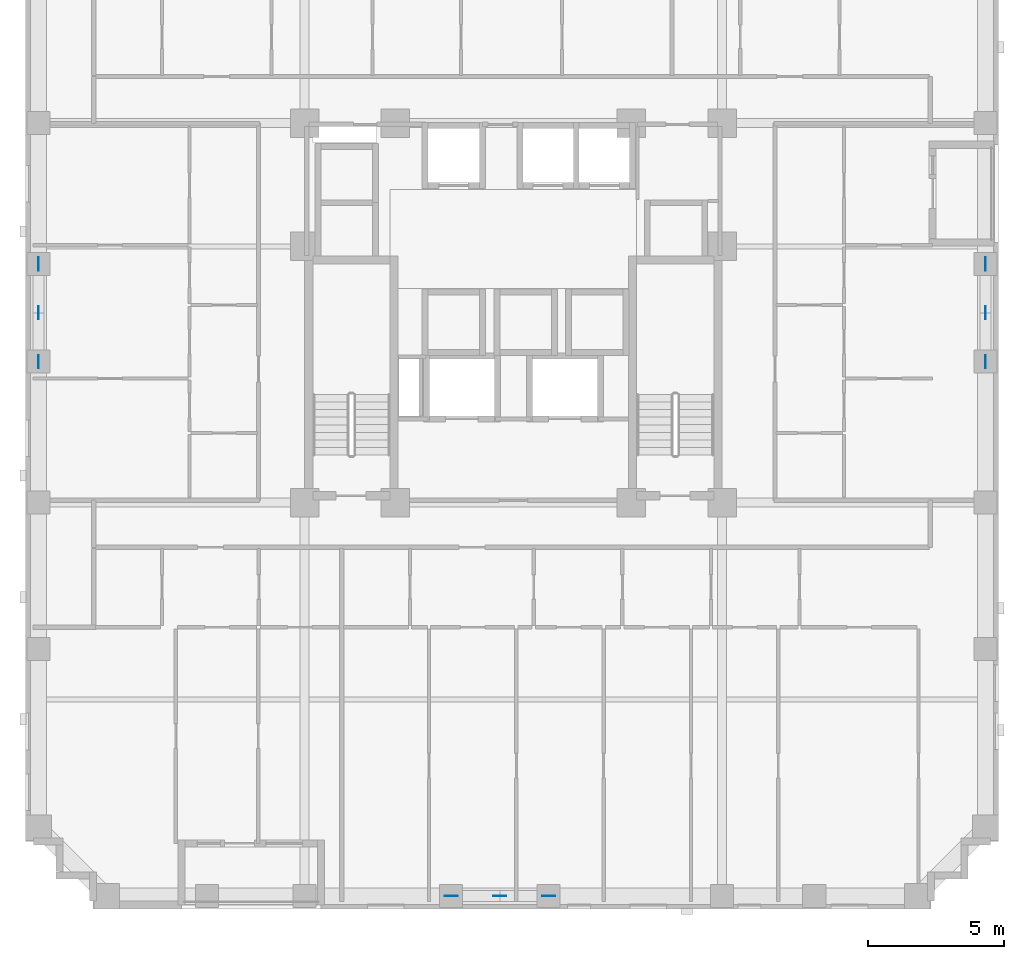
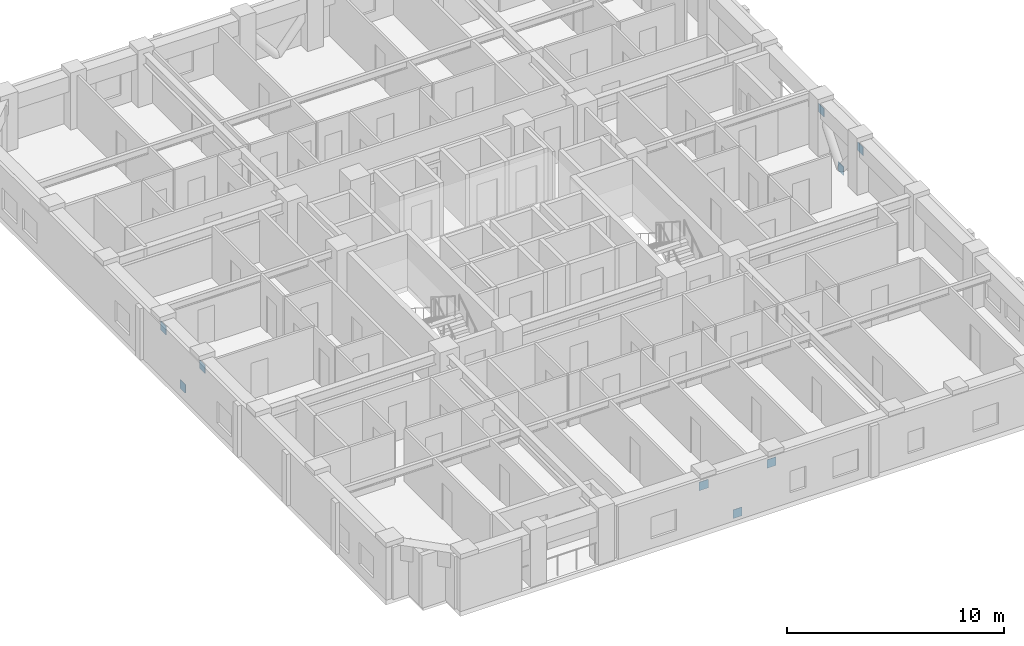
# One storey, part 9 of 12: 9 discrete accessories.
"""IFC4 building model written with IfcOpenShell, lengths in metres."""

from ifc_helpers import new_model, si_unit, derived_unit, direction, frame, origin, origin_2d, place, context, subcontext, project, spatial, rectangle, extrude, material, layer, layer_set, type_object, element, save


model = new_model("IFC4")

# Units and contexts
model_context = context("Model", 3, precision=1e-05, world=origin(), true_north=direction((0.0, 1.0)))
body_context = subcontext(model_context, "Body", "Model", "MODEL_VIEW")
ifc_project = project(units=[si_unit("LENGTHUNIT", "METRE"), si_unit("AREAUNIT", "SQUARE_METRE"), si_unit("VOLUMEUNIT", "CUBIC_METRE"), si_unit("PLANEANGLEUNIT", "RADIAN"), si_unit("MASSUNIT", "GRAM", prefix="KILO"), derived_unit("THERMALTRANSMITTANCEUNIT", [(si_unit("MASSUNIT", "GRAM", prefix="KILO"), 1), (si_unit("TIMEUNIT", "SECOND"), -3), (si_unit("THERMODYNAMICTEMPERATUREUNIT", "KELVIN"), -1)])], contexts=[model_context])

# Site, building, storey
site_placement = place(None, origin())
site = spatial("IfcSite", under=ifc_project, at=site_placement, CompositionType="ELEMENT")
building_placement = place(site_placement, origin())
building = spatial("IfcBuilding", under=site, at=building_placement, Name="Korrvale Station Residences", CompositionType="ELEMENT")
storey_placement = place(building_placement, frame((0.0, 0.0, 84.699951171875)))
storey = spatial("IfcBuildingStorey", under=building, at=storey_placement, Name="L23", CompositionType="ELEMENT", Elevation=84.699951171875)

# Discrete accessories
ifc_material = material(Name="Steel S355", Category="steel")
ifc_layer = layer(ifc_material, 0.02490234375, Name="Steel S355")
ifc_layer_set = layer_set([ifc_layer], Name="Steel S355")
discrete_accessory_type = type_object("IfcDiscreteAccessoryType", Name="ACC-GUSSET-25", PredefinedType="BRACKET", material=ifc_layer_set)
for number, where, z_axis, x_axis, name in (
    (1, (25.0, 0.47998046875, -0.219970703125), (0.0, 0.0, 1.0), (1.0, 0.0, 0.0), "L23 S Brace End Gusset Connection M"),
    (2, (23.199951171875, 0.47998046875, 1.969970703125), (0.0, 0.0, 1.0), (1.0, 0.0, 0.0), "L23 S Brace End Gusset Connection A"),
    (3, (26.800048828125, 0.47998046875, 1.969970703125), (0.0, 0.0, 1.0), (1.0, 0.0, 0.0), "L23 S Brace End Gusset Connection B"),
    (4, (7.97998046875, 22.0, -0.219970703125), (0.0, 0.0, 1.0), (0.0, 1.0, 0.0), "L23 W Brace End Gusset Connection M"),
    (5, (7.97998046875, 20.199951171875, 1.969970703125), (0.0, 0.0, 1.0), (0.0, 1.0, 0.0), "L23 W Brace End Gusset Connection A"),
    (6, (7.97998046875, 23.800048828125, 1.969970703125), (0.0, 0.0, 1.0), (0.0, 1.0, 0.0), "L23 W Brace End Gusset Connection B"),
    (7, (42.919921875, 22.0, -0.219970703125), (0.0, 0.0, 1.0), (0.0, 1.0, 0.0), "L23 E Brace End Gusset Connection M"),
    (8, (42.919921875, 20.199951171875, 1.969970703125), (0.0, 0.0, 1.0), (0.0, 1.0, 0.0), "L23 E Brace End Gusset Connection A"),
    (9, (42.919921875, 23.800048828125, 1.969970703125), (0.0, 0.0, 1.0), (0.0, 1.0, 0.0), "L23 E Brace End Gusset Connection B"),
):
    element("IfcDiscreteAccessory", number, at=place(storey_placement, frame(where, z_axis=z_axis, x_axis=x_axis)), inside=storey, type_object=discrete_accessory_type, Name=name, PredefinedType="BRACKET", context=body_context, shape_type="SweptSolid", body=[
        extrude(rectangle(XDim=0.47998046875, YDim=0.02490234375, at=origin_2d()), origin(), (0.0, 0.0, 1.0), 0.47998046875),
    ])

save(model, "model.ifc")
